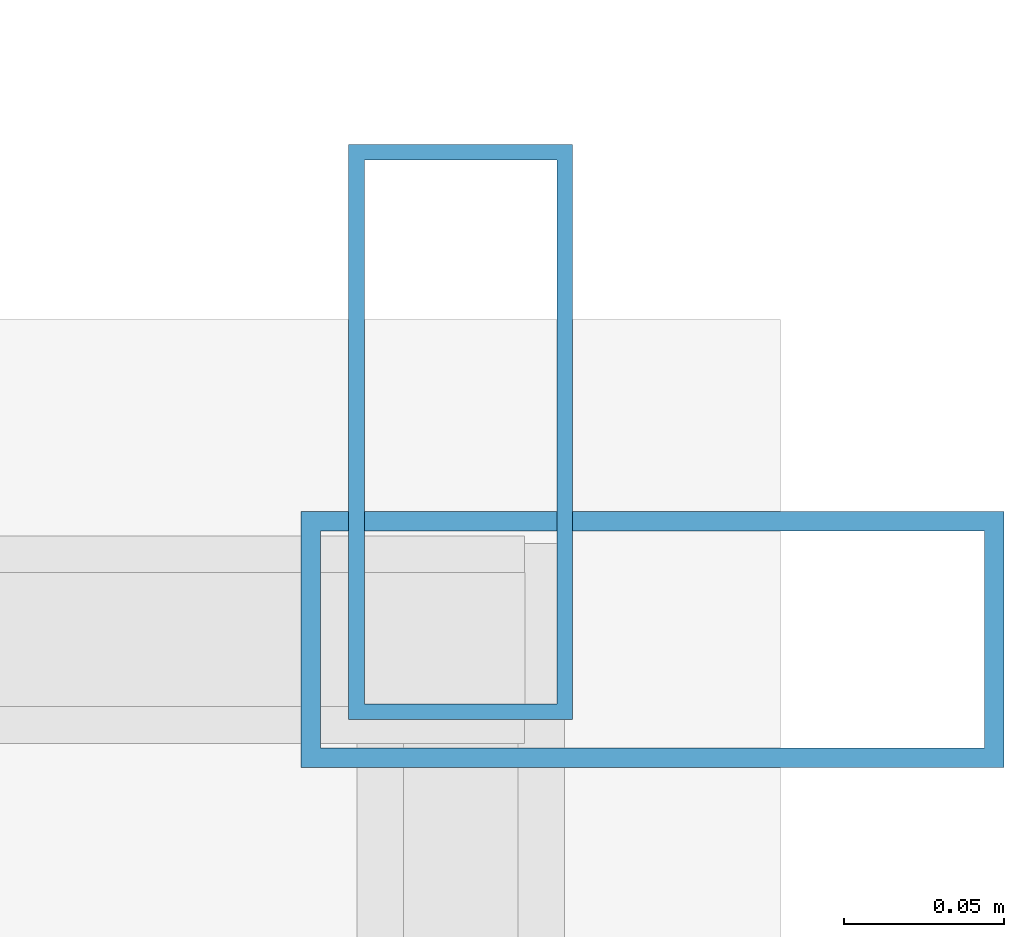
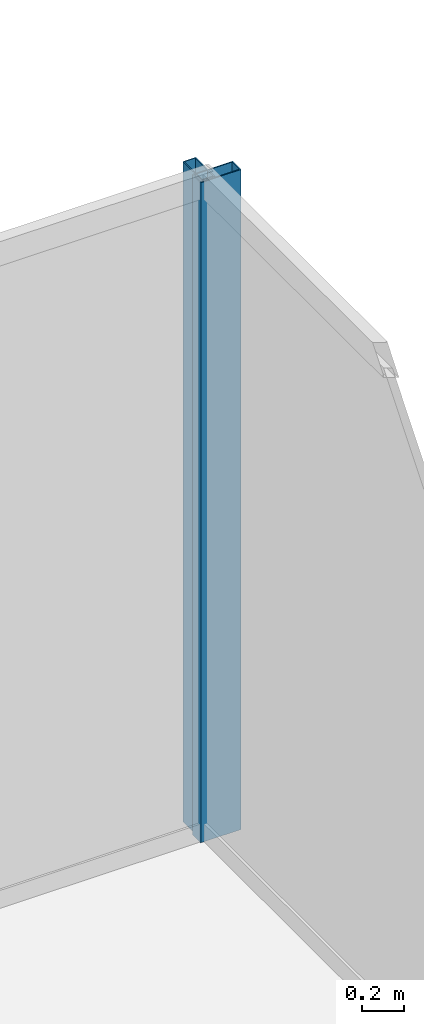
# One storey, part 26 of 35: 2 members, 2 elements without a shape of their own.
"""IFC4 building model written with IfcOpenShell, lengths in metres."""

from ifc_helpers import new_model, si_unit, direction, frame, origin, origin_2d, place, context, subcontext, project, spatial, hollow_rectangle, extrude, source, transform, mapped, material, layer, layer_set, material_profile, profile_set, type_object, type_shapes, element, aggregate, save


model = new_model("IFC4")

# Units and contexts
model_context = context("Model", 3, precision=1e-05, world=origin(), true_north=direction((0.0, 1.0)))
body_context = subcontext(model_context, "Body", "Model", "MODEL_VIEW")
ifc_project = project(units=[si_unit("LENGTHUNIT", "METRE"), si_unit("AREAUNIT", "SQUARE_METRE"), si_unit("VOLUMEUNIT", "CUBIC_METRE"), si_unit("PLANEANGLEUNIT", "RADIAN"), si_unit("MASSUNIT", "GRAM", prefix="KILO")], contexts=[model_context])

# Site, building, storey
site_placement = place(None, origin())
site = spatial("IfcSite", under=ifc_project, at=site_placement, CompositionType="ELEMENT")
building_placement = place(site_placement, origin())
building = spatial("IfcBuilding", under=site, at=building_placement, Name="Haelvirn Gate Laboratories", CompositionType="ELEMENT")
storey_placement = place(building_placement, frame((0.0, 0.0, 234.199951171875)))
storey = spatial("IfcBuildingStorey", under=building, at=storey_placement, Name="L56", CompositionType="ELEMENT", Elevation=234.199951171875)

# Curtain wall, member
ifc_material_1 = material(Name="Anodised bronze unitised aluminium & triple low-E glass", Category="aluminium")
ifc_layer_1 = layer(ifc_material_1, 0.176025390625, Name="CW-SYS-4")
ifc_layer_set_1 = layer_set([ifc_layer_1], Name="Anodised bronze unitised aluminium & triple low-E glass")
curtain_wall_type_1 = type_object("IfcCurtainWallType", Name="CW-SYS-4", PredefinedType="NOTDEFINED", material=ifc_layer_set_1)
curtain_wall_1_placement = place(storey_placement, origin())
curtain_wall_1 = element("IfcCurtainWall", 1, at=curtain_wall_1_placement, inside=storey, type_object=curtain_wall_type_1, Name="L56 Unitised Curtain Wall CW-L56-P0-E07", PredefinedType="NOTDEFINED")
ifc_material_2 = material(Name="Extruded aluminium 6063-T6 (anodised bronze)", Category="aluminium")
ifc_material_profile_1 = material_profile(ifc_material_2, hollow_rectangle(XDim=0.070068359375, YDim=0.179931640625, WallThickness=0.0048828125, at=origin_2d()), Name="CWM-180x70x5")
ifc_profile_set_1 = profile_set([ifc_material_profile_1], Name="Extruded aluminium 6063-T6 (anodised bronze)")
member_type_1 = type_object("IfcMemberType", Name="CWM-T180", PredefinedType="MULLION", material=ifc_profile_set_1)
shared_shape_1 = source(origin(), body_context, "Body", "SweptSolid", [
    extrude(hollow_rectangle(XDim=0.070068359375, YDim=0.179931640625, WallThickness=0.0048828125, at=origin_2d()), origin(), (0.0, 0.0, 1.0), 3.800048828125),
])
type_shapes(member_type_1, [shared_shape_1])
member_1_placement = place(storey_placement, frame((70.699951171875, 42.764892578125, 0.0), z_axis=(0.0, 0.0, 1.0), x_axis=(-1.0, 0.0, 0.0)))
member_1 = element("IfcMember", 2, at=member_1_placement, type_object=member_type_1, Name="CW4 mullion 3", PredefinedType="MULLION", context=body_context, shape_type="MappedRepresentation", body=[
    mapped(shared_shape_1, transform((0.0, 0.0, 0.0), scale=1.0)),
])
aggregate(curtain_wall_1, [member_1])

ifc_layer_2 = layer(ifc_material_1, 0.181884765625, Name="CW-SYS-5")
ifc_layer_set_2 = layer_set([ifc_layer_2], Name="Anodised bronze unitised aluminium & triple low-E glass")
curtain_wall_type_2 = type_object("IfcCurtainWallType", Name="CW-SYS-5", PredefinedType="NOTDEFINED", material=ifc_layer_set_2)
curtain_wall_2_placement = place(storey_placement, origin())
curtain_wall_2 = element("IfcCurtainWall", 3, at=curtain_wall_2_placement, inside=storey, type_object=curtain_wall_type_2, Name="L56 Unitised Curtain Wall CW-L56-P0-E08-1", PredefinedType="NOTDEFINED")
ifc_material_profile_2 = material_profile(ifc_material_2, hollow_rectangle(XDim=0.080078125, YDim=0.219970703125, WallThickness=0.006103515625, at=origin_2d()), Name="CWM-220x80x6")
ifc_profile_set_2 = profile_set([ifc_material_profile_2], Name="Extruded aluminium 6063-T6 (anodised bronze)")
member_type_2 = type_object("IfcMemberType", Name="CWM-T220", PredefinedType="MULLION", material=ifc_profile_set_2)
shared_shape_2 = source(origin(), body_context, "Body", "SweptSolid", [
    extrude(hollow_rectangle(XDim=0.080078125, YDim=0.219970703125, WallThickness=0.006103515625, at=origin_2d()), origin(), (0.0, 0.0, 1.0), 3.800048828125),
])
type_shapes(member_type_2, [shared_shape_2])
member_2_placement = place(storey_placement, frame((70.760009765625, 42.699951171875, 0.0), z_axis=(0.0, 0.0, 1.0), x_axis=(0.0, 1.0, 0.0)))
member_2 = element("IfcMember", 4, at=member_2_placement, type_object=member_type_2, Name="CW5 mullion 2", PredefinedType="MULLION", context=body_context, shape_type="MappedRepresentation", body=[
    mapped(shared_shape_2, transform((0.0, 0.0, 0.0), scale=1.0)),
])
aggregate(curtain_wall_2, [member_2])

save(model, "model.ifc")
